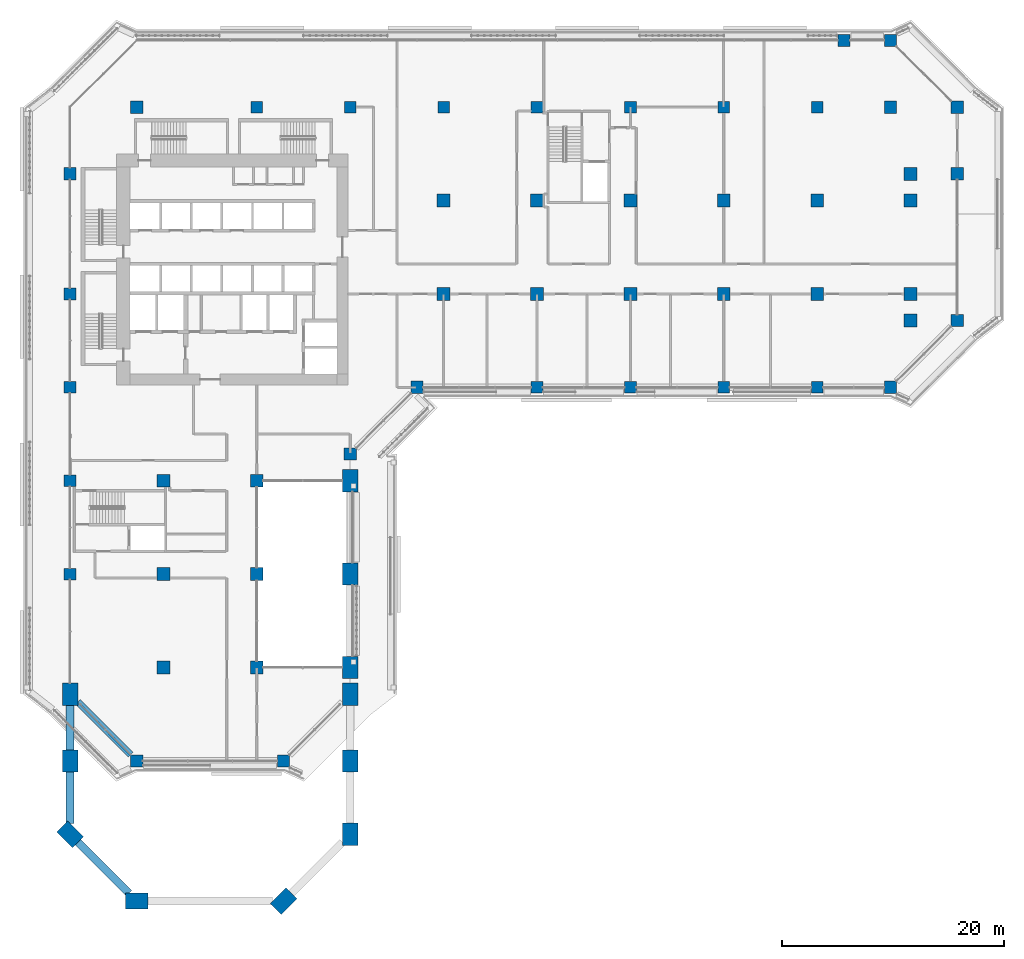
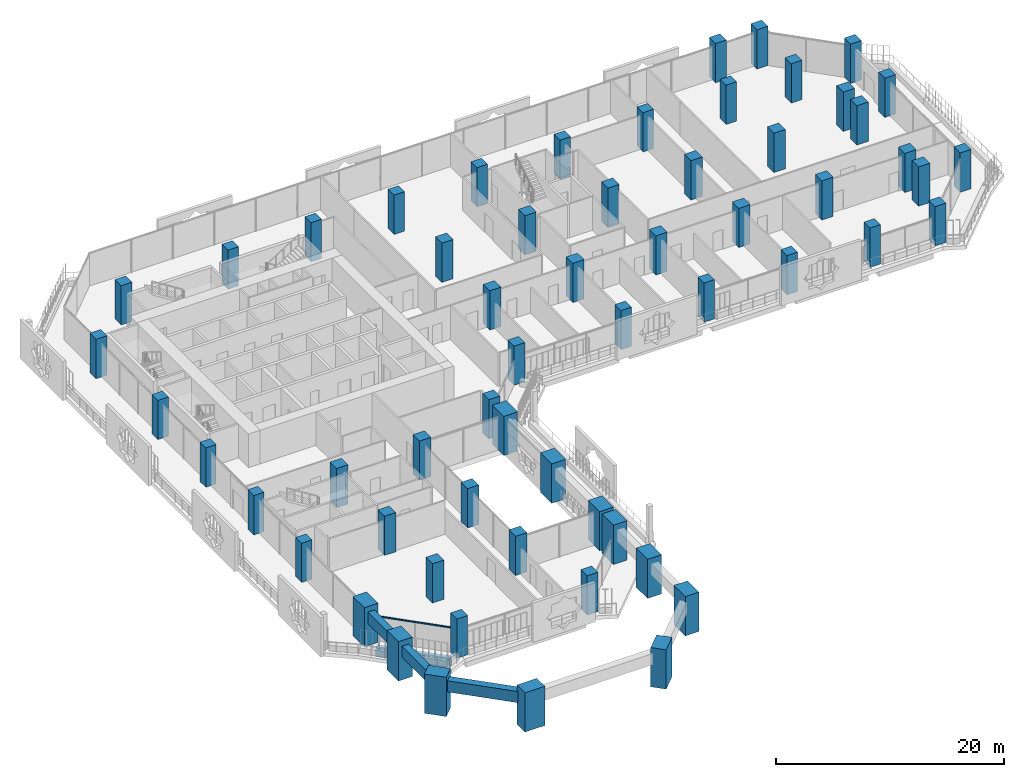
# One storey, part 1 of 29: 59 columns, 4 beams, 1 member, 1 element without a shape of its own.
"""IFC4 building model written with IfcOpenShell, lengths in metres."""

from ifc_helpers import new_model, si_unit, direction, frame, origin, origin_2d, place, context, subcontext, project, spatial, rectangle, extrude, material, layer, layer_set, material_profile, profile_set, type_object, element, aggregate, save


model = new_model("IFC4")

# Units and contexts
model_context = context("Model", 3, precision=1e-05, world=origin(), true_north=direction((0.0, 1.0)))
body_context = subcontext(model_context, "Body", "Model", "MODEL_VIEW")
ifc_project = project(units=[si_unit("LENGTHUNIT", "METRE"), si_unit("AREAUNIT", "SQUARE_METRE"), si_unit("VOLUMEUNIT", "CUBIC_METRE"), si_unit("PLANEANGLEUNIT", "RADIAN"), si_unit("MASSUNIT", "GRAM", prefix="KILO")], contexts=[model_context])

# Site, building, storey
site_placement = place(None, origin())
site = spatial("IfcSite", under=ifc_project, at=site_placement, CompositionType="ELEMENT")
building_placement = place(site_placement, origin())
building = spatial("IfcBuilding", under=site, at=building_placement, Name="Kawkab Arch Medical Tower", CompositionType="ELEMENT")
storey_placement = place(building_placement, frame((0.0, 0.0, 107.199951171875)))
storey = spatial("IfcBuildingStorey", under=building, at=storey_placement, Name="L24", CompositionType="ELEMENT", Elevation=107.199951171875)

# Columns
ifc_material_1 = material(Name="Concrete C55/67", Category="concrete")
ifc_material_profile_1 = material_profile(ifc_material_1, rectangle(XDim=1.050048828125, YDim=1.050048828125, at=origin_2d()), Name="RC 1050x1050")
ifc_profile_set_1 = profile_set([ifc_material_profile_1], Name="Concrete C55/67")
column_type_1 = type_object("IfcColumnType", Name="RC 1050x1050 column C55/67", PredefinedType="COLUMN", material=ifc_profile_set_1)
for number, where, z_axis, x_axis, name in (
    (1, (16.800048828125, 0.0, 0.0), (0.0, 0.0, 1.0), (1.0, 0.0, 0.0), "Column RC 1050x1050"),
    (2, (25.199951171875, 0.0, 0.0), (0.0, 0.0, 1.0), (1.0, 0.0, 0.0), "Column RC 1050x1050"),
    (3, (33.60009765625, 0.0, 0.0), (0.0, 0.0, 1.0), (1.0, 0.0, 0.0), "Column RC 1050x1050"),
    (4, (42.0, 0.0, 0.0), (0.0, 0.0, 1.0), (1.0, 0.0, 0.0), "Column RC 1050x1050"),
    (5, (50.39990234375, 0.0, 0.0), (0.0, 0.0, 1.0), (1.0, 0.0, 0.0), "Column RC 1050x1050"),
    (6, (58.800048828125, 0.0, 0.0), (0.0, 0.0, 1.0), (1.0, 0.0, 0.0), "Column RC 1050x1050"),
    (7, (67.199951171875, 0.0, 0.0), (0.0, 0.0, 1.0), (1.0, 0.0, 0.0), "Column RC 1050x1050"),
    (8, (0.0, -16.800048828125, 0.0), (0.0, 0.0, 1.0), (1.0, 0.0, 0.0), "Column RC 1050x1050"),
    (9, (0.0, -25.199951171875, 0.0), (0.0, 0.0, 1.0), (1.0, 0.0, 0.0), "Column RC 1050x1050"),
    (10, (42.0, -25.199951171875, 0.0), (0.0, 0.0, 1.0), (1.0, 0.0, 0.0), "Column RC 1050x1050"),
    (11, (50.39990234375, -25.199951171875, 0.0), (0.0, 0.0, 1.0), (1.0, 0.0, 0.0), "Column RC 1050x1050"),
    (12, (58.800048828125, -25.199951171875, 0.0), (0.0, 0.0, 1.0), (1.0, 0.0, 0.0), "Column RC 1050x1050"),
    (13, (67.199951171875, -25.199951171875, 0.0), (0.0, 0.0, 1.0), (1.0, 0.0, 0.0), "Column RC 1050x1050"),
    (14, (0.0, -33.60009765625, 0.0), (0.0, 0.0, 1.0), (1.0, 0.0, 0.0), "Column RC 1050x1050"),
    (15, (0.0, -42.0, 0.0), (0.0, 0.0, 1.0), (1.0, 0.0, 0.0), "Column RC 1050x1050"),
):
    element("IfcColumn", number, at=place(storey_placement, frame(where, z_axis=z_axis, x_axis=x_axis)), inside=storey, type_object=column_type_1, Name=name, PredefinedType="COLUMN", context=body_context, shape_type="SweptSolid", body=[
        extrude(rectangle(XDim=1.050048828125, YDim=1.050048828125, at=origin_2d()), origin(), (0.0, 0.0, 1.0), 4.199951171875),
    ])
ifc_material_2 = material(Name="Concrete C55/67", Category="concrete")
ifc_material_profile_2 = material_profile(ifc_material_2, rectangle(XDim=1.10009765625, YDim=1.10009765625, at=origin_2d()), Name="RC 1100x1100")
ifc_profile_set_2 = profile_set([ifc_material_profile_2], Name="Concrete C55/67")
column_type_2 = type_object("IfcColumnType", Name="RC 1100x1100 column C55/67", PredefinedType="COLUMN", material=ifc_profile_set_2)
for number, where, z_axis, x_axis, name in (
    (16, (6.0, 0.0, 0.0), (0.0, 0.0, 1.0), (1.0, 0.0, 0.0), "Column RC 1100x1100"),
    (17, (73.800048828125, 0.0, 0.0), (0.0, 0.0, 1.0), (1.0, 0.0, 0.0), "Column RC 1100x1100"),
    (18, (0.0, -6.0, 0.0), (0.0, 0.0, 1.0), (1.0, 0.0, 0.0), "Column RC 1100x1100"),
    (19, (79.800048828125, -6.0, 0.0), (0.0, 0.0, 1.0), (1.0, 0.0, 0.0), "Column RC 1100x1100"),
    (20, (79.800048828125, -19.199951171875, 0.0), (0.0, 0.0, 1.0), (1.0, 0.0, 0.0), "Column RC 1100x1100"),
    (21, (31.199951171875, -25.199951171875, 0.0), (0.0, 0.0, 1.0), (1.0, 0.0, 0.0), "Column RC 1100x1100"),
    (22, (73.800048828125, -25.199951171875, 0.0), (0.0, 0.0, 1.0), (1.0, 0.0, 0.0), "Column RC 1100x1100"),
    (23, (25.199951171875, -31.199951171875, 0.0), (0.0, 0.0, 1.0), (1.0, 0.0, 0.0), "Column RC 1100x1100"),
    (24, (6.0, -58.800048828125, 0.0), (0.0, 0.0, 1.0), (1.0, 0.0, 0.0), "Column RC 1100x1100"),
    (25, (19.199951171875, -58.800048828125, 0.0), (0.0, 0.0, 1.0), (1.0, 0.0, 0.0), "Column RC 1100x1100"),
    (26, (69.60009765625, 6.0, 0.0), (0.0, 0.0, 1.0), (1.0, 0.0, 0.0), "Column RC 1100x1100"),
    (27, (73.800048828125, 6.0, 0.0), (0.0, 0.0, 1.0), (1.0, 0.0, 0.0), "Column RC 1100x1100"),
    (28, (79.800048828125, 0.0, 0.0), (0.0, 0.0, 1.0), (1.0, 0.0, 0.0), "Column RC 1100x1100"),
):
    element("IfcColumn", number, at=place(storey_placement, frame(where, z_axis=z_axis, x_axis=x_axis)), inside=storey, type_object=column_type_2, Name=name, PredefinedType="COLUMN", context=body_context, shape_type="SweptSolid", body=[
        extrude(rectangle(XDim=1.10009765625, YDim=1.10009765625, at=origin_2d()), origin(), (0.0, 0.0, 1.0), 4.199951171875),
    ])
ifc_material_3 = material(Name="Concrete C55/67", Category="concrete")
ifc_material_profile_3 = material_profile(ifc_material_3, rectangle(XDim=1.14990234375, YDim=1.14990234375, at=origin_2d()), Name="RC 1150x1150")
ifc_profile_set_3 = profile_set([ifc_material_profile_3], Name="Concrete C55/67")
column_type_3 = type_object("IfcColumnType", Name="RC 1150x1150 column C55/67", PredefinedType="COLUMN", material=ifc_profile_set_3)
for number, where, z_axis, x_axis, name in (
    (29, (75.60009765625, -6.0, 0.0), (0.0, 0.0, 1.0), (1.0, 0.0, 0.0), "Column RC 1150x1150"),
    (30, (33.60009765625, -8.39990234375, 0.0), (0.0, 0.0, 1.0), (1.0, 0.0, 0.0), "Column RC 1150x1150"),
    (31, (42.0, -8.39990234375, 0.0), (0.0, 0.0, 1.0), (1.0, 0.0, 0.0), "Column RC 1150x1150"),
    (32, (50.39990234375, -8.39990234375, 0.0), (0.0, 0.0, 1.0), (1.0, 0.0, 0.0), "Column RC 1150x1150"),
    (33, (58.800048828125, -8.39990234375, 0.0), (0.0, 0.0, 1.0), (1.0, 0.0, 0.0), "Column RC 1150x1150"),
    (34, (67.199951171875, -8.39990234375, 0.0), (0.0, 0.0, 1.0), (1.0, 0.0, 0.0), "Column RC 1150x1150"),
    (35, (75.60009765625, -8.39990234375, 0.0), (0.0, 0.0, 1.0), (1.0, 0.0, 0.0), "Column RC 1150x1150"),
    (36, (33.60009765625, -16.800048828125, 0.0), (0.0, 0.0, 1.0), (1.0, 0.0, 0.0), "Column RC 1150x1150"),
    (37, (42.0, -16.800048828125, 0.0), (0.0, 0.0, 1.0), (1.0, 0.0, 0.0), "Column RC 1150x1150"),
    (38, (50.39990234375, -16.800048828125, 0.0), (0.0, 0.0, 1.0), (1.0, 0.0, 0.0), "Column RC 1150x1150"),
    (39, (58.800048828125, -16.800048828125, 0.0), (0.0, 0.0, 1.0), (1.0, 0.0, 0.0), "Column RC 1150x1150"),
    (40, (67.199951171875, -16.800048828125, 0.0), (0.0, 0.0, 1.0), (1.0, 0.0, 0.0), "Column RC 1150x1150"),
    (41, (75.60009765625, -16.800048828125, 0.0), (0.0, 0.0, 1.0), (1.0, 0.0, 0.0), "Column RC 1150x1150"),
    (42, (75.60009765625, -19.199951171875, 0.0), (0.0, 0.0, 1.0), (1.0, 0.0, 0.0), "Column RC 1150x1150"),
    (43, (8.39990234375, -33.60009765625, 0.0), (0.0, 0.0, 1.0), (1.0, 0.0, 0.0), "Column RC 1150x1150"),
    (44, (16.800048828125, -33.60009765625, 0.0), (0.0, 0.0, 1.0), (1.0, 0.0, 0.0), "Column RC 1150x1150"),
    (45, (8.39990234375, -42.0, 0.0), (0.0, 0.0, 1.0), (1.0, 0.0, 0.0), "Column RC 1150x1150"),
    (46, (16.800048828125, -42.0, 0.0), (0.0, 0.0, 1.0), (1.0, 0.0, 0.0), "Column RC 1150x1150"),
    (47, (8.39990234375, -50.39990234375, 0.0), (0.0, 0.0, 1.0), (1.0, 0.0, 0.0), "Column RC 1150x1150"),
    (48, (16.800048828125, -50.39990234375, 0.0), (0.0, 0.0, 1.0), (1.0, 0.0, 0.0), "Column RC 1150x1150"),
):
    element("IfcColumn", number, at=place(storey_placement, frame(where, z_axis=z_axis, x_axis=x_axis)), inside=storey, type_object=column_type_3, Name=name, PredefinedType="COLUMN", context=body_context, shape_type="SweptSolid", body=[
        extrude(rectangle(XDim=1.14990234375, YDim=1.14990234375, at=origin_2d()), origin(), (0.0, 0.0, 1.0), 4.199951171875),
    ])
ifc_material_4 = material(Name="Concrete C55/67", Category="concrete")
ifc_material_profile_4 = material_profile(ifc_material_4, rectangle(XDim=2.0, YDim=1.39990234375, at=origin_2d()), Name="RC 2000x1400")
ifc_profile_set_4 = profile_set([ifc_material_profile_4], Name="Concrete C55/67")
column_type_4 = type_object("IfcColumnType", Name="RC 2000x1400 column C55/67", PredefinedType="COLUMN", material=ifc_profile_set_4)
for number, where, z_axis, x_axis, name in (
    (49, (25.199951171875, -42.0, 0.0), (0.0, 0.0, 1.0), (0.0, -1.0, 0.0), "Column RC 2000x1400"),
    (50, (0.0, -52.800048828125, 0.0), (0.0, 0.0, 1.0), (0.0, 1.0, 0.0), "Column RC 2000x1400"),
    (51, (25.199951171875, -52.800048828125, 0.0), (0.0, 0.0, 1.0), (0.0, -1.0, 0.0), "Column RC 2000x1400"),
    (52, (25.199951171875, -58.800048828125, 0.0), (0.0, 0.0, 1.0), (0.0, -1.0, 0.0), "Column RC 2000x1400"),
    (53, (25.199951171875, -65.39990234375, 0.0), (0.0, 0.0, 1.0), (0.0, -1.0, 0.0), "Column RC 2000x1400"),
    (54, (19.199951171875, -71.39990234375, 0.0), (0.0, 0.0, 1.0), (-0.707106781187, -0.707106781187, 0.0), "Column RC 2000x1400"),
    (55, (6.0, -71.39990234375, 0.0), (0.0, 0.0, 1.0), (-1.0, 0.0, 0.0), "Column RC 2000x1400"),
    (56, (0.0, -65.39990234375, 0.0), (0.0, 0.0, 1.0), (-0.707106781187, 0.707106781187, 0.0), "Column RC 2000x1400"),
    (57, (0.0, -58.800048828125, 0.0), (0.0, 0.0, 1.0), (0.0, 1.0, 0.0), "Column RC 2000x1400"),
    (58, (25.199951171875, -33.60009765625, 0.0), (0.0, 0.0, 1.0), (0.0, -1.0, 0.0), "Column RC 2000x1400"),
    (59, (25.199951171875, -50.39990234375, 0.0), (0.0, 0.0, 1.0), (0.0, -1.0, 0.0), "Column RC 2000x1400"),
):
    element("IfcColumn", number, at=place(storey_placement, frame(where, z_axis=z_axis, x_axis=x_axis)), inside=storey, type_object=column_type_4, Name=name, PredefinedType="COLUMN", context=body_context, shape_type="SweptSolid", body=[
        extrude(rectangle(XDim=2.0, YDim=1.39990234375, at=origin_2d()), origin(), (0.0, 0.0, 1.0), 4.199951171875),
    ])

# Curtain wall, member
ifc_material_5 = material(Name="Bronze anodised aluminium curtain wall frame", Category="aluminium")
ifc_layer = layer(ifc_material_5, 0.159912109375)
ifc_layer_set = layer_set([ifc_layer], Name="Bronze anodised aluminium curtain wall frame")
curtain_wall_type = type_object("IfcCurtainWallType", Name="CW2 chamfer curtain wall", PredefinedType="NOTDEFINED", material=ifc_layer_set)
curtain_wall_placement = place(storey_placement, origin())
curtain_wall = element("IfcCurtainWall", 60, at=curtain_wall_placement, inside=storey, type_object=curtain_wall_type, Name="CW2 Chamfer curtain wall R14", PredefinedType="NOTDEFINED")
ifc_material_6 = material(Name="Bronze anodised aluminium curtain wall frame", Category="aluminium")
ifc_material_profile_5 = material_profile(ifc_material_6, rectangle(XDim=0.06005859375, YDim=0.139892578125, at=origin_2d()), Name="AL 60x140")
ifc_profile_set_5 = profile_set([ifc_material_profile_5], Name="Bronze anodised aluminium curtain wall frame")
member_type = type_object("IfcMemberType", Name="CW2 transom 140 x 60", PredefinedType="USERDEFINED", material=ifc_profile_set_5)
member_placement = place(storey_placement, frame((0.930419921875, -53.730224609375, 2.630126953125), z_axis=(0.707087682839, -0.707125879019, 0.0), x_axis=(0.707125879019, 0.707087682839, 0.0)))
member = element("IfcMember", 61, at=member_placement, type_object=member_type, Name="CW2 transom 1", ObjectType="TRANSOM", PredefinedType="USERDEFINED", context=body_context, shape_type="SweptSolid", body=[
    extrude(rectangle(XDim=0.06005859375, YDim=0.139892578125, at=origin_2d()), origin(), (0.0, 0.0, 1.0), 6.391845703125),
])
aggregate(curtain_wall, [member])

# Beams
ifc_material_7 = material(Name="Concrete C55/67", Category="concrete")
ifc_material_profile_6 = material_profile(ifc_material_7, rectangle(XDim=0.60009765625, YDim=0.89990234375, at=origin_2d()), Name="RC 600x900")
ifc_profile_set_6 = profile_set([ifc_material_profile_6], Name="Concrete C55/67")
beam_type_1 = type_object("IfcBeamType", Name="RC 600x900 beam C55/67", PredefinedType="BEAM", material=ifc_profile_set_6)
beam_1_placement = place(storey_placement, frame((5.449951171875, -58.25, -1.050048828125), z_axis=(-0.707106781187, 0.707106781187, 0.0), x_axis=(-0.707106781187, -0.707106781187, 0.0)))
element("IfcBeam", 62, at=beam_1_placement, inside=storey, type_object=beam_type_1, Name="Overhang edge beam L24-10", PredefinedType="BEAM", context=body_context, shape_type="SweptSolid", body=[
    extrude(rectangle(XDim=0.60009765625, YDim=0.89990234375, at=origin_2d()), origin(), (0.0, 0.0, 1.0), 6.717529296875),
])
ifc_material_8 = material(Name="Concrete C55/67", Category="concrete")
ifc_material_profile_7 = material_profile(ifc_material_8, rectangle(XDim=0.699951171875, YDim=1.199951171875, at=origin_2d()), Name="RC 700x1200")
ifc_profile_set_7 = profile_set([ifc_material_profile_7], Name="Concrete C55/67")
beam_type_2 = type_object("IfcBeamType", Name="RC 700x1200 beam C55/67", PredefinedType="BEAM", material=ifc_profile_set_7)
beam_2_placement = place(storey_placement, frame((5.300048828125, -70.699951171875, 3.0), z_axis=(-0.707125574473, 0.707087987401, 0.0), x_axis=(-0.707087987401, -0.707125574473, 0.0)))
element("IfcBeam", 63, at=beam_2_placement, inside=storey, type_object=beam_type_2, Name="Terrace frame beam TF-L22-1-L25-05", PredefinedType="BEAM", context=body_context, shape_type="SweptSolid", body=[
    extrude(rectangle(XDim=0.699951171875, YDim=1.199951171875, at=origin_2d()), origin(), (0.0, 0.0, 1.0), 6.495361328125),
])
beam_3_placement = place(storey_placement, frame((0.0, -64.41015625, 3.0), z_axis=(0.0, 1.0, 0.0), x_axis=(-1.0, 0.0, 0.0)))
element("IfcBeam", 64, at=beam_3_placement, inside=storey, type_object=beam_type_2, Name="Terrace frame beam TF-L22-1-L25-06", PredefinedType="BEAM", context=body_context, shape_type="SweptSolid", body=[
    extrude(rectangle(XDim=0.699951171875, YDim=1.199951171875, at=origin_2d()), origin(), (0.0, 0.0, 1.0), 4.610107421875),
])
beam_4_placement = place(storey_placement, frame((0.0, -57.800048828125, 3.0), z_axis=(0.0, 1.0, 0.0), x_axis=(-1.0, 0.0, 0.0)))
element("IfcBeam", 65, at=beam_4_placement, inside=storey, type_object=beam_type_2, Name="Terrace frame beam TF-L22-1-L25-07", PredefinedType="BEAM", context=body_context, shape_type="SweptSolid", body=[
    extrude(rectangle(XDim=0.699951171875, YDim=1.199951171875, at=origin_2d()), origin(), (0.0, 0.0, 1.0), 4.0),
])

save(model, "model.ifc")
